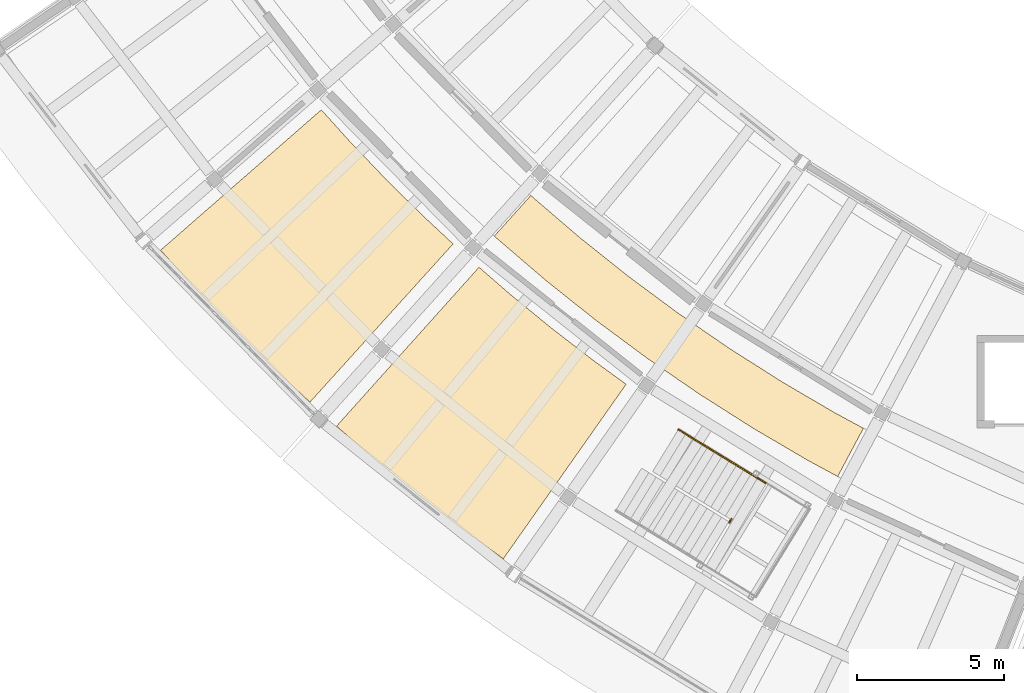
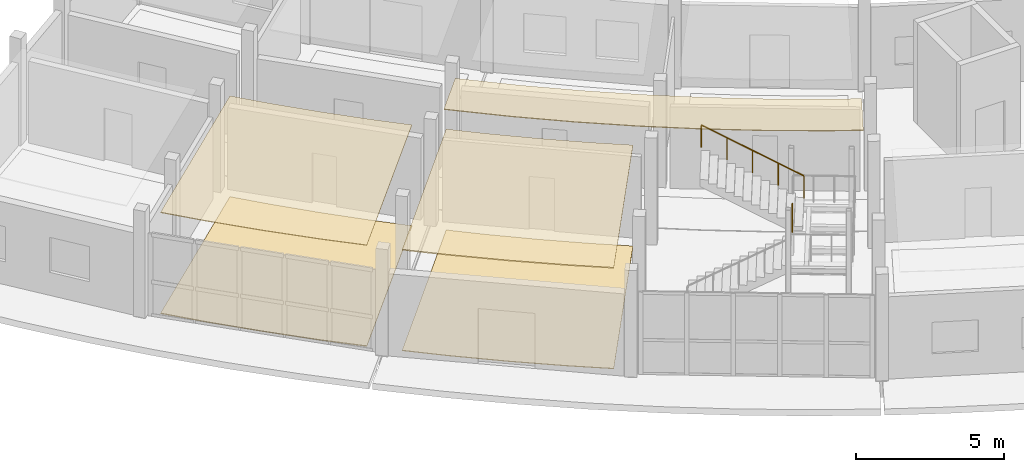
# One storey, part 79 of 92: 5 coverings, 2 railings.
"""IFC4 building model written with IfcOpenShell, lengths in metres."""

from ifc_helpers import new_model, si_unit, direction, frame, origin, origin_2d, place, context, subcontext, project, spatial, polyline, circle, outline, extrude, material, layer, layer_set, type_object, element, save


model = new_model("IFC4")

# Units and contexts
model_context = context("Model", 3, precision=1e-05, world=origin(), true_north=direction((0.0, 1.0)))
body_context = subcontext(model_context, "Body", "Model", "MODEL_VIEW")
ifc_project = project(units=[si_unit("LENGTHUNIT", "METRE"), si_unit("AREAUNIT", "SQUARE_METRE"), si_unit("VOLUMEUNIT", "CUBIC_METRE"), si_unit("PLANEANGLEUNIT", "RADIAN"), si_unit("MASSUNIT", "GRAM", prefix="KILO")], contexts=[model_context])

# Site, building, storey
site_placement = place(None, origin())
site = spatial("IfcSite", under=ifc_project, at=site_placement, CompositionType="ELEMENT")
building_placement = place(site_placement, origin())
building = spatial("IfcBuilding", under=site, at=building_placement, Name="Caldaven Crescent School", CompositionType="ELEMENT")
storey_placement = place(building_placement, origin())
storey = spatial("IfcBuildingStorey", under=building, at=storey_placement, Name="L00", CompositionType="ELEMENT", Elevation=0.0)

# Coverings
ifc_material_1 = material(Name="Perforated Pino Radiata acoustic timber baffle ceiling", Category="wood")
ifc_layer_1 = layer(ifc_material_1, 0.030029296875)
ifc_layer_set_1 = layer_set([ifc_layer_1], Name="Perforated Pino Radiata acoustic timber baffle ceiling")
covering_type_1 = type_object("IfcCoveringType", Name="COV-CLG1", PredefinedType="CEILING", material=ifc_layer_set_1)
covering_1_placement = place(storey_placement, frame((0.0, 0.0, 4.169921875)))
element("IfcCovering", 1, at=covering_1_placement, inside=storey, type_object=covering_type_1, Name="CLG-L00-088", PredefinedType="CEILING", context=body_context, shape_type="SweptSolid", body=[
    extrude(outline(polyline([(48.78564453125, 51.82421875), (48.797607421875, 51.813720703125), (50.37890625, 50.459716796875), (50.39111328125, 50.44970703125), (52.01953125, 49.152587890625), (52.0322265625, 49.14306640625), (53.70556640625, 47.90478515625), (53.718505859375, 47.8955078125), (55.434814453125, 46.71728515625), (55.4482421875, 46.70849609375), (57.205322265625, 45.59228515625), (57.218994140625, 45.583984375), (59.014404296875, 44.530517578125), (59.028564453125, 44.522705078125), (59.98828125, 44.004638671875), (59.11328125, 42.36376953125), (58.10888671875, 42.906005859375), (56.24267578125, 44.000732421875), (54.41650390625, 45.160888671875), (52.63232421875, 46.385498046875), (50.893310546875, 47.672607421875), (49.20068359375, 49.0205078125), (47.556884765625, 50.427734375), (47.432861328125, 50.5419921875), (48.6767578125, 51.924560546875), (48.78564453125, 51.82421875)])), origin(), (0.0, 0.0, 1.0), 0.030029296875),
])
covering_2_placement = place(storey_placement, frame((0.0, 0.0, 4.169921875)))
element("IfcCovering", 2, at=covering_2_placement, inside=storey, type_object=covering_type_1, Name="CLG-L00-092", PredefinedType="CEILING", context=body_context, shape_type="SweptSolid", body=[
    extrude(outline(polyline([(42.464599609375, 53.8193359375), (42.473388671875, 53.809814453125), (43.723876953125, 52.499267578125), (43.733154296875, 52.489990234375), (45.021484375, 51.216796875), (45.03125, 51.20751953125), (46.031982421875, 50.275146484375), (41.161865234375, 44.89111328125), (40.0, 45.973388671875), (38.55029296875, 47.406005859375), (37.1435546875, 48.88037109375), (36.08154296875, 50.060791015625), (41.5498046875, 54.83642578125), (42.464599609375, 53.8193359375)])), origin(), (0.0, 0.0, 1.0), 0.030029296875),
])
ifc_layer_2 = layer(ifc_material_1, 0.0458984375)
ifc_layer_set_2 = layer_set([ifc_layer_2], Name="Perforated Pino Radiata acoustic timber baffle ceiling")
covering_type_2 = type_object("IfcCoveringType", Name="COV-CLG3", PredefinedType="CEILING", material=ifc_layer_set_2)
covering_3_placement = place(storey_placement, frame((0.0, 0.0, 4.154052734375)))
element("IfcCovering", 3, at=covering_3_placement, inside=storey, type_object=covering_type_2, Name="CLG-L00-094", PredefinedType="CEILING", context=body_context, shape_type="SweptSolid", body=[
    extrude(outline(polyline([(47.9443359375, 48.58447265625), (47.95458984375, 48.575927734375), (49.355224609375, 47.427734375), (49.36572265625, 47.41943359375), (50.7998046875, 46.312744140625), (50.810302734375, 46.304931640625), (51.917236328125, 45.50146484375), (47.739501953125, 39.56396484375), (46.45458984375, 40.496826171875), (44.841064453125, 41.74169921875), (43.264892578125, 43.03369140625), (42.067138671875, 44.075927734375), (46.91259765625, 49.482421875), (47.9443359375, 48.58447265625)])), origin(), (0.0, 0.0, 1.0), 0.0458984375),
])
ifc_material_2 = material(Name="Polished terrazzo and acoustic linoleum flooring")
ifc_layer_3 = layer(ifc_material_2, 0.02587890625)
ifc_layer_set_3 = layer_set([ifc_layer_3], Name="Polished terrazzo and acoustic linoleum flooring")
covering_type_3 = type_object("IfcCoveringType", Name="COV-FLR2", PredefinedType="FLOORING", material=ifc_layer_set_3)
covering_4_placement = place(storey_placement, origin())
element("IfcCovering", 4, at=covering_4_placement, inside=storey, type_object=covering_type_3, Name="FLR-L00-094", PredefinedType="FLOORING", context=body_context, shape_type="SweptSolid", body=[
    extrude(outline(polyline([(46.91259765625, 49.482421875), (47.9443359375, 48.58447265625), (47.95458984375, 48.575927734375), (49.355224609375, 47.427734375), (49.36572265625, 47.41943359375), (50.7998046875, 46.312744140625), (50.810302734375, 46.304931640625), (51.917236328125, 45.50146484375), (47.739501953125, 39.56396484375), (46.45458984375, 40.496826171875), (44.841064453125, 41.74169921875), (43.264892578125, 43.03369140625), (42.067138671875, 44.075927734375), (46.91259765625, 49.482421875)])), origin(), (0.0, 0.0, 1.0), 0.02587890625),
])
ifc_layer_4 = layer(ifc_material_2, 0.031982421875)
ifc_layer_set_4 = layer_set([ifc_layer_4], Name="Polished terrazzo and acoustic linoleum flooring")
covering_type_4 = type_object("IfcCoveringType", Name="COV-FLR3", PredefinedType="FLOORING", material=ifc_layer_set_4)
covering_5_placement = place(storey_placement, origin())
element("IfcCovering", 5, at=covering_5_placement, inside=storey, type_object=covering_type_4, Name="FLR-L00-092", PredefinedType="FLOORING", context=body_context, shape_type="SweptSolid", body=[
    extrude(outline(polyline([(41.5498046875, 54.83642578125), (42.464599609375, 53.8193359375), (42.473388671875, 53.809814453125), (43.723876953125, 52.499267578125), (43.733154296875, 52.489990234375), (45.021484375, 51.216796875), (45.03125, 51.20751953125), (46.031982421875, 50.275146484375), (41.161865234375, 44.89111328125), (40.0, 45.973388671875), (38.55029296875, 47.406005859375), (37.1435546875, 48.88037109375), (36.08154296875, 50.060791015625), (41.5498046875, 54.83642578125)])), origin(), (0.0, 0.0, 1.0), 0.031982421875),
])

# Railings
ifc_material_3 = material(Name="Brushed stainless-steel continuous tubular handrail", Category="steel")
railing_type_1 = type_object("IfcRailingType", Name="RAL-HR4", PredefinedType="HANDRAIL", material=ifc_material_3)
railing_1_placement = place(storey_placement, frame((56.66162109375, 42.142822265625, 2.383056640625)))
element("IfcRailing", 6, at=railing_1_placement, inside=storey, type_object=railing_type_1, Name="HR-ST1-L00-F2", PredefinedType="HANDRAIL", context=body_context, shape_type="SweptSolid", body=[
    extrude(circle(Radius=0.02392578125, at=origin_2d()), frame((0.0, 0.0, 0.916015625), z_axis=(-0.73554534835, 0.450781021518, 0.505736602552), x_axis=(-0.522530799947, -0.852620409741, 0.0)), (0.0, 0.0, 1.0), 4.03369140625),
    extrude(circle(Radius=0.02099609375, at=origin_2d()), origin(), (0.0, 0.0, 1.0), 0.891845703125),
    extrude(circle(Radius=0.02099609375, at=origin_2d()), frame((-0.74169921875, 0.45458984375, 0.510009765625)), (0.0, 0.0, 1.0), 0.891845703125),
    extrude(circle(Radius=0.02099609375, at=origin_2d()), frame((-1.4833984375, 0.9091796875, 1.02001953125)), (0.0, 0.0, 1.0), 0.891845703125),
    extrude(circle(Radius=0.02099609375, at=origin_2d()), frame((-2.225341796875, 1.36376953125, 1.530029296875)), (0.0, 0.0, 1.0), 0.891845703125),
    extrude(circle(Radius=0.02099609375, at=origin_2d()), frame((-2.967041015625, 1.818359375, 2.0400390625)), (0.0, 0.0, 1.0), 0.891845703125),
])
ifc_material_4 = material(Name="Powder-coated tubular steel balustrade ASTM A572 Grade 50", Category="steel")
railing_type_2 = type_object("IfcRailingType", Name="RAL-INT2", PredefinedType="BALUSTRADE", material=ifc_material_4)
railing_2_placement = place(storey_placement, frame((55.42529296875, 40.795166015625, 2.2099609375)))
element("IfcRailing", 7, at=railing_2_placement, inside=storey, type_object=railing_type_2, Name="GD-SLT-ST1-L00", PredefinedType="BALUSTRADE", context=body_context, shape_type="SweptSolid", body=[
    extrude(circle(Radius=0.02392578125, at=origin_2d()), frame((0.0, 0.0, 1.09619140625), z_axis=(0.522929879778, 0.852375704039, 0.0), x_axis=(-0.852375704039, 0.522929879778, 0.0)), (0.0, 0.0, 1.0), 0.14013671875),
    extrude(circle(Radius=0.02099609375, at=origin_2d()), origin(), (0.0, 0.0, 1.0), 1.072021484375),
    extrude(circle(Radius=0.02099609375, at=origin_2d()), frame((0.0732421875, 0.119384765625, 0.0)), (0.0, 0.0, 1.0), 1.072021484375),
])

save(model, "model.ifc")
